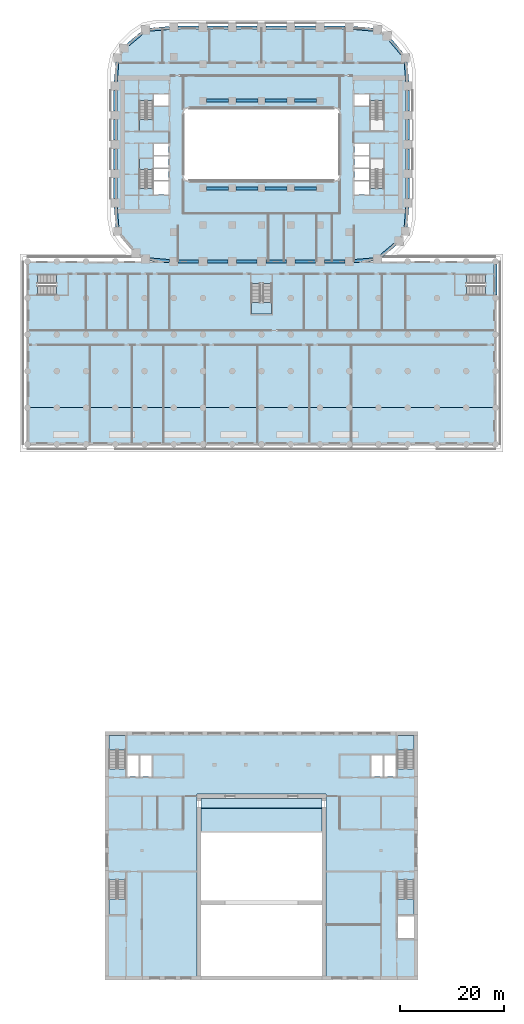
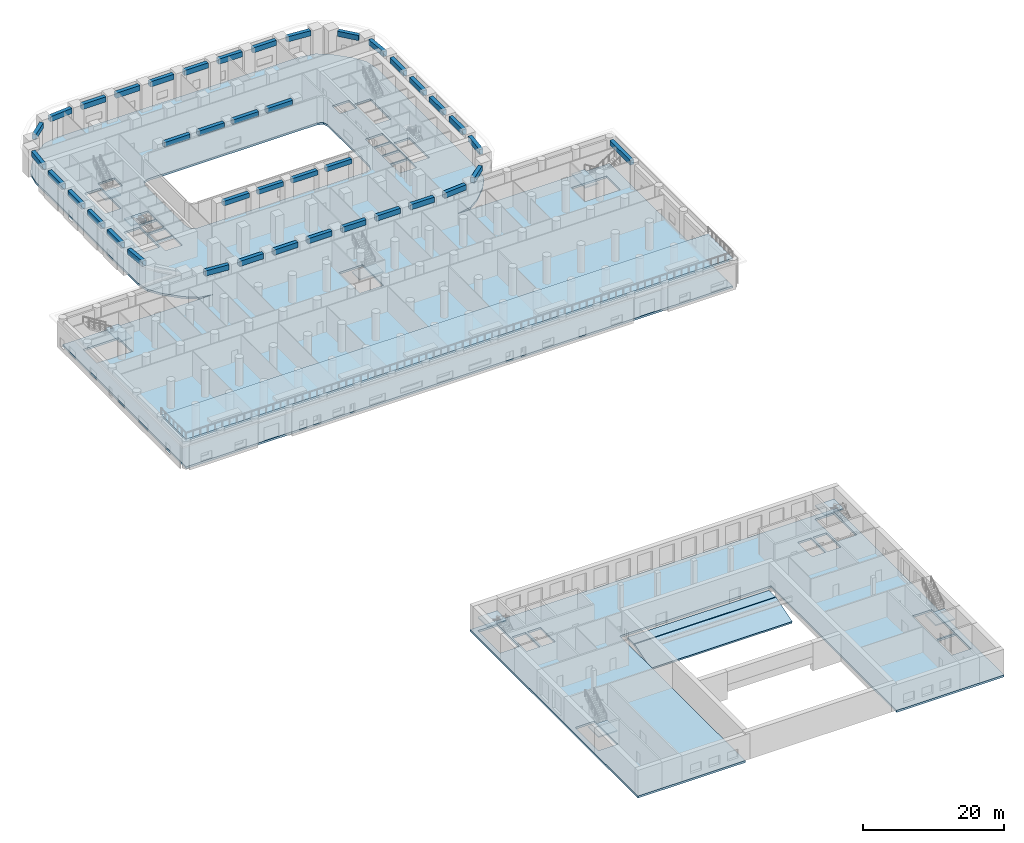
# One storey, part 2 of 27: 40 beams, 14 slabs, 9 elements without a shape of their own.
"""IFC4 building model written with IfcOpenShell, lengths in metres."""

from ifc_helpers import new_model, si_unit, direction, frame, origin, origin_2d, place, context, subcontext, project, spatial, polyline, rectangle, outline, extrude, material, layer, layer_set, material_profile, profile_set, type_object, element, aggregate, save


model = new_model("IFC4")

# Units and contexts
model_context = context("Model", 3, precision=1e-05, world=origin(), true_north=direction((0.0, 1.0)))
body_context = subcontext(model_context, "Body", "Model", "MODEL_VIEW")
ifc_project = project(units=[si_unit("LENGTHUNIT", "METRE"), si_unit("AREAUNIT", "SQUARE_METRE"), si_unit("VOLUMEUNIT", "CUBIC_METRE"), si_unit("PLANEANGLEUNIT", "RADIAN"), si_unit("MASSUNIT", "GRAM", prefix="KILO")], contexts=[model_context])

# Site, building, storey
site_placement = place(None, origin())
site = spatial("IfcSite", under=ifc_project, at=site_placement, CompositionType="ELEMENT")
building_placement = place(site_placement, origin())
building = spatial("IfcBuilding", under=site, at=building_placement, Name="Kiln Ring Residences", CompositionType="ELEMENT")
storey_placement = place(building_placement, frame((0.0, 0.0, 6.5)))
storey = spatial("IfcBuildingStorey", under=building, at=storey_placement, Name="L01", CompositionType="ELEMENT", Elevation=6.5)

# Beams
ifc_material_1 = material(Name="Concrete C50/60", Category="concrete")
ifc_material_profile_1 = material_profile(ifc_material_1, rectangle(XDim=0.60009765625, YDim=0.800048828125, at=origin_2d()), Name="RC600x800")
ifc_profile_set_1 = profile_set([ifc_material_profile_1], Name="Concrete C50/60")
beam_type_1 = type_object("IfcBeamType", Name="Ring beam RC600x800 C50/60", PredefinedType="BEAM", material=ifc_profile_set_1)
beam_1_placement = place(storey_placement, frame((44.800048828125, -23.0, 4.050048828125), z_axis=(0.0, -1.0, 0.0), x_axis=(1.0, 0.0, 0.0)))
element("IfcBeam", 1, at=beam_1_placement, inside=storey, type_object=beam_type_1, Name="Ring beam L01 22", PredefinedType="BEAM", context=body_context, shape_type="SweptSolid", body=[
    extrude(rectangle(XDim=0.60009765625, YDim=0.800048828125, at=origin_2d()), origin(), (0.0, 0.0, 1.0), 5.800048828125),
])
for number, where, z_axis, x_axis, name in (
    (2, (-10.5, -8.39990234375, 4.050048828125), (1.0, 0.0, 0.0), (0.0, 1.0, 0.0), "Ring beam L01 27"),
    (3, (-4.89990234375, -8.39990234375, 4.050048828125), (1.0, 0.0, 0.0), (0.0, 1.0, 0.0), "Ring beam L01 28"),
    (4, (0.699951171875, -8.39990234375, 4.050048828125), (1.0, 0.0, 0.0), (0.0, 1.0, 0.0), "Ring beam L01 29"),
    (5, (6.300048828125, -8.39990234375, 4.050048828125), (1.0, 0.0, 0.0), (0.0, 1.0, 0.0), "Ring beam L01 30"),
    (6, (-10.5, 8.39990234375, 4.050048828125), (1.0, 0.0, 0.0), (0.0, 1.0, 0.0), "Ring beam L01 31"),
    (7, (-4.89990234375, 8.39990234375, 4.050048828125), (1.0, 0.0, 0.0), (0.0, 1.0, 0.0), "Ring beam L01 32"),
    (8, (0.699951171875, 8.39990234375, 4.050048828125), (1.0, 0.0, 0.0), (0.0, 1.0, 0.0), "Ring beam L01 33"),
    (9, (6.300048828125, 8.39990234375, 4.050048828125), (1.0, 0.0, 0.0), (0.0, 1.0, 0.0), "Ring beam L01 34"),
):
    element("IfcBeam", number, at=place(storey_placement, frame(where, z_axis=z_axis, x_axis=x_axis)), inside=storey, type_object=beam_type_1, Name=name, PredefinedType="BEAM", context=body_context, shape_type="SweptSolid", body=[
        extrude(rectangle(XDim=0.60009765625, YDim=0.800048828125, at=origin_2d()), origin(), (0.0, 0.0, 1.0), 4.199951171875),
    ])
ifc_material_2 = material(Name="Concrete C50/60", Category="concrete")
ifc_material_profile_2 = material_profile(ifc_material_2, rectangle(XDim=0.60009765625, YDim=0.89990234375, at=origin_2d()), Name="RC600x900")
ifc_profile_set_2 = profile_set([ifc_material_profile_2], Name="Concrete C50/60")
beam_type_2 = type_object("IfcBeamType", Name="Spandrel beam RC600x900 C50/60", PredefinedType="SPANDREL", material=ifc_profile_set_2)
beam_2_placement = place(storey_placement, frame((-21.358642578125, -22.0107421875, 4.0), z_axis=(0.996374977292, -0.08506999839, 0.0), x_axis=(0.08506999839, 0.996374977292, 0.0)))
element("IfcBeam", 10, at=beam_2_placement, inside=storey, type_object=beam_type_2, Name="Spandrel beam L01 1", PredefinedType="SPANDREL", context=body_context, shape_type="SweptSolid", body=[
    extrude(rectangle(XDim=0.60009765625, YDim=0.89990234375, at=origin_2d()), origin(), (0.0, 0.0, 1.0), 3.72216796875),
])
beam_3_placement = place(storey_placement, frame((-15.949951171875, -22.39990234375, 4.0), z_axis=(1.0, 0.0, 0.0), x_axis=(0.0, 1.0, 0.0)))
element("IfcBeam", 11, at=beam_3_placement, inside=storey, type_object=beam_type_2, Name="Spandrel beam L01 2", PredefinedType="SPANDREL", context=body_context, shape_type="SweptSolid", body=[
    extrude(rectangle(XDim=0.60009765625, YDim=0.89990234375, at=origin_2d()), origin(), (0.0, 0.0, 1.0), 3.89990234375),
])
beam_4_placement = place(storey_placement, frame((-10.35009765625, -22.39990234375, 4.0), z_axis=(1.0, 0.0, 0.0), x_axis=(0.0, 1.0, 0.0)))
element("IfcBeam", 12, at=beam_4_placement, inside=storey, type_object=beam_type_2, Name="Spandrel beam L01 3", PredefinedType="SPANDREL", context=body_context, shape_type="SweptSolid", body=[
    extrude(rectangle(XDim=0.60009765625, YDim=0.89990234375, at=origin_2d()), origin(), (0.0, 0.0, 1.0), 3.900146484375),
])
for number, where, z_axis, x_axis, name in (
    (13, (-4.75, -22.39990234375, 4.0), (1.0, 0.0, 0.0), (0.0, 1.0, 0.0), "Spandrel beam L01 4"),
    (14, (0.85009765625, -22.39990234375, 4.0), (1.0, 0.0, 0.0), (0.0, 1.0, 0.0), "Spandrel beam L01 5"),
):
    element("IfcBeam", number, at=place(storey_placement, frame(where, z_axis=z_axis, x_axis=x_axis)), inside=storey, type_object=beam_type_2, Name=name, PredefinedType="SPANDREL", context=body_context, shape_type="SweptSolid", body=[
        extrude(rectangle(XDim=0.60009765625, YDim=0.89990234375, at=origin_2d()), origin(), (0.0, 0.0, 1.0), 3.89990234375),
    ])
beam_5_placement = place(storey_placement, frame((6.449951171875, -22.39990234375, 4.0), z_axis=(1.0, 0.0, 0.0), x_axis=(0.0, 1.0, 0.0)))
element("IfcBeam", 15, at=beam_5_placement, inside=storey, type_object=beam_type_2, Name="Spandrel beam L01 6", PredefinedType="SPANDREL", context=body_context, shape_type="SweptSolid", body=[
    extrude(rectangle(XDim=0.60009765625, YDim=0.89990234375, at=origin_2d()), origin(), (0.0, 0.0, 1.0), 3.900146484375),
])
beam_6_placement = place(storey_placement, frame((12.050048828125, -22.39990234375, 4.0), z_axis=(1.0, 0.0, 0.0), x_axis=(0.0, 1.0, 0.0)))
element("IfcBeam", 16, at=beam_6_placement, inside=storey, type_object=beam_type_2, Name="Spandrel beam L01 7", PredefinedType="SPANDREL", context=body_context, shape_type="SweptSolid", body=[
    extrude(rectangle(XDim=0.60009765625, YDim=0.89990234375, at=origin_2d()), origin(), (0.0, 0.0, 1.0), 3.89990234375),
])
beam_7_placement = place(storey_placement, frame((17.64990234375, -22.327392578125, 4.0), z_axis=(0.996374977292, 0.08506999839, 0.0), x_axis=(-0.08506999839, 0.996374977292, 0.0)))
element("IfcBeam", 17, at=beam_7_placement, inside=storey, type_object=beam_type_2, Name="Spandrel beam L01 8", PredefinedType="SPANDREL", context=body_context, shape_type="SweptSolid", body=[
    extrude(rectangle(XDim=0.60009765625, YDim=0.89990234375, at=origin_2d()), origin(), (0.0, 0.0, 1.0), 3.72216796875),
])
beam_8_placement = place(storey_placement, frame((23.05859375, -21.221923828125, 4.0), z_axis=(0.764713647219, 0.644370264489, 0.0), x_axis=(-0.644370264489, 0.764713647219, 0.0)))
element("IfcBeam", 18, at=beam_8_placement, inside=storey, type_object=beam_type_2, Name="Spandrel beam L01 9", PredefinedType="SPANDREL", context=body_context, shape_type="SweptSolid", body=[
    extrude(rectangle(XDim=0.60009765625, YDim=0.89990234375, at=origin_2d()), origin(), (0.0, 0.0, 1.0), 3.205322265625),
])
beam_9_placement = place(storey_placement, frame((27.610595703125, -15.7587890625, 4.0), z_axis=(0.085135112999, 0.996369415696, 0.0), x_axis=(-0.996369415696, 0.085135112999, 0.0)))
element("IfcBeam", 19, at=beam_9_placement, inside=storey, type_object=beam_type_2, Name="Spandrel beam L01 10", PredefinedType="SPANDREL", context=body_context, shape_type="SweptSolid", body=[
    extrude(rectangle(XDim=0.60009765625, YDim=0.89990234375, at=origin_2d()), origin(), (0.0, 0.0, 1.0), 3.72216796875),
])
beam_10_placement = place(storey_placement, frame((28.0, -10.35009765625, 4.0), z_axis=(0.0, 1.0, 0.0), x_axis=(-1.0, 0.0, 0.0)))
element("IfcBeam", 20, at=beam_10_placement, inside=storey, type_object=beam_type_2, Name="Spandrel beam L01 11", PredefinedType="SPANDREL", context=body_context, shape_type="SweptSolid", body=[
    extrude(rectangle(XDim=0.60009765625, YDim=0.89990234375, at=origin_2d()), origin(), (0.0, 0.0, 1.0), 3.900146484375),
])
for number, where, z_axis, x_axis, name in (
    (21, (28.0, -4.75, 4.0), (0.0, 1.0, 0.0), (-1.0, 0.0, 0.0), "Spandrel beam L01 12"),
    (22, (28.0, 0.85009765625, 4.0), (0.0, 1.0, 0.0), (-1.0, 0.0, 0.0), "Spandrel beam L01 13"),
):
    element("IfcBeam", number, at=place(storey_placement, frame(where, z_axis=z_axis, x_axis=x_axis)), inside=storey, type_object=beam_type_2, Name=name, PredefinedType="SPANDREL", context=body_context, shape_type="SweptSolid", body=[
        extrude(rectangle(XDim=0.60009765625, YDim=0.89990234375, at=origin_2d()), origin(), (0.0, 0.0, 1.0), 3.89990234375),
    ])
beam_11_placement = place(storey_placement, frame((28.0, 6.449951171875, 4.0), z_axis=(0.0, 1.0, 0.0), x_axis=(-1.0, 0.0, 0.0)))
element("IfcBeam", 23, at=beam_11_placement, inside=storey, type_object=beam_type_2, Name="Spandrel beam L01 14", PredefinedType="SPANDREL", context=body_context, shape_type="SweptSolid", body=[
    extrude(rectangle(XDim=0.60009765625, YDim=0.89990234375, at=origin_2d()), origin(), (0.0, 0.0, 1.0), 3.900146484375),
])
beam_12_placement = place(storey_placement, frame((27.927490234375, 12.050048828125, 4.0), z_axis=(-0.085135112999, 0.996369415696, 0.0), x_axis=(-0.996369415696, -0.085135112999, 0.0)))
element("IfcBeam", 24, at=beam_12_placement, inside=storey, type_object=beam_type_2, Name="Spandrel beam L01 15", PredefinedType="SPANDREL", context=body_context, shape_type="SweptSolid", body=[
    extrude(rectangle(XDim=0.60009765625, YDim=0.89990234375, at=origin_2d()), origin(), (0.0, 0.0, 1.0), 3.72216796875),
])
beam_13_placement = place(storey_placement, frame((26.82177734375, 17.458740234375, 4.0), z_axis=(-0.644370264489, 0.764713647219, 0.0), x_axis=(-0.764713647219, -0.644370264489, 0.0)))
element("IfcBeam", 25, at=beam_13_placement, inside=storey, type_object=beam_type_2, Name="Spandrel beam L01 16", PredefinedType="SPANDREL", context=body_context, shape_type="SweptSolid", body=[
    extrude(rectangle(XDim=0.60009765625, YDim=0.89990234375, at=origin_2d()), origin(), (0.0, 0.0, 1.0), 3.205322265625),
])
beam_14_placement = place(storey_placement, frame((21.358642578125, 22.0107421875, 4.0), z_axis=(-0.996374977292, 0.08506999839, 0.0), x_axis=(-0.08506999839, -0.996374977292, 0.0)))
element("IfcBeam", 26, at=beam_14_placement, inside=storey, type_object=beam_type_2, Name="Spandrel beam L01 17", PredefinedType="SPANDREL", context=body_context, shape_type="SweptSolid", body=[
    extrude(rectangle(XDim=0.60009765625, YDim=0.89990234375, at=origin_2d()), origin(), (0.0, 0.0, 1.0), 3.72216796875),
])
beam_15_placement = place(storey_placement, frame((15.949951171875, 22.39990234375, 4.0), z_axis=(-1.0, 0.0, 0.0), x_axis=(0.0, -1.0, 0.0)))
element("IfcBeam", 27, at=beam_15_placement, inside=storey, type_object=beam_type_2, Name="Spandrel beam L01 18", PredefinedType="SPANDREL", context=body_context, shape_type="SweptSolid", body=[
    extrude(rectangle(XDim=0.60009765625, YDim=0.89990234375, at=origin_2d()), origin(), (0.0, 0.0, 1.0), 3.89990234375),
])
beam_16_placement = place(storey_placement, frame((10.35009765625, 22.39990234375, 4.0), z_axis=(-1.0, 0.0, 0.0), x_axis=(0.0, -1.0, 0.0)))
element("IfcBeam", 28, at=beam_16_placement, inside=storey, type_object=beam_type_2, Name="Spandrel beam L01 19", PredefinedType="SPANDREL", context=body_context, shape_type="SweptSolid", body=[
    extrude(rectangle(XDim=0.60009765625, YDim=0.89990234375, at=origin_2d()), origin(), (0.0, 0.0, 1.0), 3.900146484375),
])
for number, where, z_axis, x_axis, name in (
    (29, (4.75, 22.39990234375, 4.0), (-1.0, 0.0, 0.0), (0.0, -1.0, 0.0), "Spandrel beam L01 20"),
    (30, (-0.85009765625, 22.39990234375, 4.0), (-1.0, 0.0, 0.0), (0.0, -1.0, 0.0), "Spandrel beam L01 21"),
):
    element("IfcBeam", number, at=place(storey_placement, frame(where, z_axis=z_axis, x_axis=x_axis)), inside=storey, type_object=beam_type_2, Name=name, PredefinedType="SPANDREL", context=body_context, shape_type="SweptSolid", body=[
        extrude(rectangle(XDim=0.60009765625, YDim=0.89990234375, at=origin_2d()), origin(), (0.0, 0.0, 1.0), 3.89990234375),
    ])
beam_17_placement = place(storey_placement, frame((-6.449951171875, 22.39990234375, 4.0), z_axis=(-1.0, 0.0, 0.0), x_axis=(0.0, -1.0, 0.0)))
element("IfcBeam", 31, at=beam_17_placement, inside=storey, type_object=beam_type_2, Name="Spandrel beam L01 22", PredefinedType="SPANDREL", context=body_context, shape_type="SweptSolid", body=[
    extrude(rectangle(XDim=0.60009765625, YDim=0.89990234375, at=origin_2d()), origin(), (0.0, 0.0, 1.0), 3.900146484375),
])
beam_18_placement = place(storey_placement, frame((-12.050048828125, 22.39990234375, 4.0), z_axis=(-1.0, 0.0, 0.0), x_axis=(0.0, -1.0, 0.0)))
element("IfcBeam", 32, at=beam_18_placement, inside=storey, type_object=beam_type_2, Name="Spandrel beam L01 23", PredefinedType="SPANDREL", context=body_context, shape_type="SweptSolid", body=[
    extrude(rectangle(XDim=0.60009765625, YDim=0.89990234375, at=origin_2d()), origin(), (0.0, 0.0, 1.0), 3.89990234375),
])
beam_19_placement = place(storey_placement, frame((-17.64990234375, 22.327392578125, 4.0), z_axis=(-0.996374977292, -0.08506999839, 0.0), x_axis=(0.08506999839, -0.996374977292, 0.0)))
element("IfcBeam", 33, at=beam_19_placement, inside=storey, type_object=beam_type_2, Name="Spandrel beam L01 24", PredefinedType="SPANDREL", context=body_context, shape_type="SweptSolid", body=[
    extrude(rectangle(XDim=0.60009765625, YDim=0.89990234375, at=origin_2d()), origin(), (0.0, 0.0, 1.0), 3.72216796875),
])
beam_20_placement = place(storey_placement, frame((-23.05859375, 21.221923828125, 4.0), z_axis=(-0.764713647219, -0.644370264489, 0.0), x_axis=(0.644370264489, -0.764713647219, 0.0)))
element("IfcBeam", 34, at=beam_20_placement, inside=storey, type_object=beam_type_2, Name="Spandrel beam L01 25", PredefinedType="SPANDREL", context=body_context, shape_type="SweptSolid", body=[
    extrude(rectangle(XDim=0.60009765625, YDim=0.89990234375, at=origin_2d()), origin(), (0.0, 0.0, 1.0), 3.205322265625),
])
beam_21_placement = place(storey_placement, frame((-27.610595703125, 15.7587890625, 4.0), z_axis=(-0.085135112999, -0.996369415696, 0.0), x_axis=(0.996369415696, -0.085135112999, 0.0)))
element("IfcBeam", 35, at=beam_21_placement, inside=storey, type_object=beam_type_2, Name="Spandrel beam L01 26", PredefinedType="SPANDREL", context=body_context, shape_type="SweptSolid", body=[
    extrude(rectangle(XDim=0.60009765625, YDim=0.89990234375, at=origin_2d()), origin(), (0.0, 0.0, 1.0), 3.72216796875),
])
beam_22_placement = place(storey_placement, frame((-28.0, 10.35009765625, 4.0), z_axis=(0.0, -1.0, 0.0), x_axis=(1.0, 0.0, 0.0)))
element("IfcBeam", 36, at=beam_22_placement, inside=storey, type_object=beam_type_2, Name="Spandrel beam L01 27", PredefinedType="SPANDREL", context=body_context, shape_type="SweptSolid", body=[
    extrude(rectangle(XDim=0.60009765625, YDim=0.89990234375, at=origin_2d()), origin(), (0.0, 0.0, 1.0), 3.900146484375),
])
for number, where, z_axis, x_axis, name in (
    (37, (-28.0, 4.75, 4.0), (0.0, -1.0, 0.0), (1.0, 0.0, 0.0), "Spandrel beam L01 28"),
    (38, (-28.0, -0.85009765625, 4.0), (0.0, -1.0, 0.0), (1.0, 0.0, 0.0), "Spandrel beam L01 29"),
):
    element("IfcBeam", number, at=place(storey_placement, frame(where, z_axis=z_axis, x_axis=x_axis)), inside=storey, type_object=beam_type_2, Name=name, PredefinedType="SPANDREL", context=body_context, shape_type="SweptSolid", body=[
        extrude(rectangle(XDim=0.60009765625, YDim=0.89990234375, at=origin_2d()), origin(), (0.0, 0.0, 1.0), 3.89990234375),
    ])
beam_23_placement = place(storey_placement, frame((-28.0, -6.449951171875, 4.0), z_axis=(0.0, -1.0, 0.0), x_axis=(1.0, 0.0, 0.0)))
element("IfcBeam", 39, at=beam_23_placement, inside=storey, type_object=beam_type_2, Name="Spandrel beam L01 30", PredefinedType="SPANDREL", context=body_context, shape_type="SweptSolid", body=[
    extrude(rectangle(XDim=0.60009765625, YDim=0.89990234375, at=origin_2d()), origin(), (0.0, 0.0, 1.0), 3.900146484375),
])
beam_24_placement = place(storey_placement, frame((-27.927490234375, -12.050048828125, 4.0), z_axis=(0.085135112999, -0.996369415696, 0.0), x_axis=(0.996369415696, 0.085135112999, 0.0)))
element("IfcBeam", 40, at=beam_24_placement, inside=storey, type_object=beam_type_2, Name="Spandrel beam L01 31", PredefinedType="SPANDREL", context=body_context, shape_type="SweptSolid", body=[
    extrude(rectangle(XDim=0.60009765625, YDim=0.89990234375, at=origin_2d()), origin(), (0.0, 0.0, 1.0), 3.72216796875),
])

# Stair, slab
ifc_material_3 = material(Name="Concrete C40/50", Category="concrete")
stair_type_1 = type_object("IfcStairType", Name="CORE-STAIR", PredefinedType="HALF_TURN_STAIR", material=ifc_material_3)
placement_1 = place(storey_placement, origin())
stair_1 = element("IfcStair", 41, at=placement_1, inside=storey, type_object=stair_type_1, Name="L01 stair W-STN", PredefinedType="HALF_TURN_STAIR")
ifc_material_4 = material(Name="Concrete C40/50", Category="concrete")
ifc_layer_1 = layer(ifc_material_4, 0.199951171875)
ifc_layer_set_1 = layer_set([ifc_layer_1], Name="CORE-STAIR-LANDING")
slab_type_1 = type_object("IfcSlabType", Name="CORE-STAIR-LANDING", PredefinedType="LANDING", material=ifc_layer_set_1)
placement_2 = place(storey_placement, frame((0.0, 0.0, 2.199951171875)))
slab_1 = element("IfcSlab", 42, at=placement_2, type_object=slab_type_1, Name="W-STN landing 1", PredefinedType="LANDING", context=body_context, shape_type="SweptSolid", body=[
    extrude(outline(polyline([(-23.39990234375, 4.760009765625), (-23.39990234375, 2.60009765625), (-20.800048828125, 2.60009765625), (-20.800048828125, 4.760009765625), (-23.39990234375, 4.760009765625)])), origin(), (0.0, 0.0, 1.0), 0.199951171875),
])
aggregate(stair_1, [slab_1])

stair_2 = element("IfcStair", 43, at=placement_1, inside=storey, type_object=stair_type_1, Name="L01 stair W-STS", PredefinedType="HALF_TURN_STAIR")
slab_2 = element("IfcSlab", 44, at=placement_2, type_object=slab_type_1, Name="W-STS landing 1", PredefinedType="LANDING", context=body_context, shape_type="SweptSolid", body=[
    extrude(outline(polyline([(-20.800048828125, -4.760009765625), (-20.800048828125, -2.699951171875), (-23.39990234375, -2.699951171875), (-23.39990234375, -4.760009765625), (-20.800048828125, -4.760009765625)])), origin(), (0.0, 0.0, 1.0), 0.199951171875),
])
aggregate(stair_2, [slab_2])

# Slabs
ifc_material_5 = material(Name="Concrete C40/50", Category="concrete")
ifc_layer_2 = layer(ifc_material_5, 0.35009765625)
ifc_layer_set_2 = layer_set([ifc_layer_2], Name="Floor slab 350")
slab_type_2 = type_object("IfcSlabType", Name="Floor slab 350", PredefinedType="FLOOR", material=ifc_layer_set_2)
placement_3 = place(storey_placement, frame((0.0, 0.0, -0.35009765625)))
element("IfcSlab", 45, at=placement_3, inside=storey, type_object=slab_type_2, Name="Floor slab L01 1", PredefinedType="FLOOR", context=body_context, shape_type="SweptSolid", body=[
    extrude(outline(polyline([(44.800048828125, -57.39990234375), (44.800048828125, -22.39990234375), (20.0, -22.39990234375), (22.224365234375, -21.975830078125), (24.09716796875, -20.702880859375), (26.302978515625, -18.4970703125), (27.57568359375, -16.624267578125), (28.0, -14.39990234375), (28.0, 14.39990234375), (27.57568359375, 16.624267578125), (26.302978515625, 18.4970703125), (24.09716796875, 20.702880859375), (22.224365234375, 21.975830078125), (20.0, 22.39990234375), (-20.0, 22.39990234375), (-22.224365234375, 21.975830078125), (-24.09716796875, 20.702880859375), (-26.302978515625, 18.4970703125), (-27.57568359375, 16.624267578125), (-28.0, 14.39990234375), (-28.0, -14.39990234375), (-27.57568359375, -16.624267578125), (-26.302978515625, -18.4970703125), (-24.09716796875, -20.702880859375), (-22.224365234375, -21.975830078125), (-20.0, -22.39990234375), (-44.800048828125, -22.39990234375), (-44.800048828125, -57.39990234375), (44.800048828125, -57.39990234375)]), holes=[polyline([(-14.699951171875, -6.699951171875), (-15.0, -5.800048828125), (-15.0, 5.800048828125), (-14.699951171875, 6.699951171875), (-13.800048828125, 7.0), (13.800048828125, 7.0), (14.699951171875, 6.699951171875), (15.0, 5.800048828125), (15.0, -5.800048828125), (14.699951171875, -6.699951171875), (13.800048828125, -7.0), (-13.800048828125, -7.0), (-14.699951171875, -6.699951171875)]), polyline([(42.89794921875, -24.89990234375), (42.89794921875, -28.800048828125), (37.10009765625, -28.800048828125), (37.10009765625, -24.89990234375), (42.89794921875, -24.89990234375)]), polyline([(20.800048828125, 8.39794921875), (23.39990234375, 8.39794921875), (23.39990234375, 2.60009765625), (20.800048828125, 2.60009765625), (20.800048828125, 8.39794921875)]), polyline([(20.800048828125, -8.39794921875), (20.800048828125, -2.699951171875), (23.39990234375, -2.699951171875), (23.39990234375, -8.39794921875), (20.800048828125, -8.39794921875)]), polyline([(17.800048828125, 9.60009765625), (20.60009765625, 9.60009765625), (20.60009765625, 7.39990234375), (17.800048828125, 7.39990234375), (17.800048828125, 9.60009765625)]), polyline([(17.800048828125, -2.050048828125), (17.800048828125, 0.14990234375), (20.60009765625, 0.14990234375), (20.60009765625, -2.050048828125), (17.800048828125, -2.050048828125)]), polyline([(17.800048828125, -4.449951171875), (17.800048828125, -2.25), (20.60009765625, -2.25), (20.60009765625, -4.449951171875), (17.800048828125, -4.449951171875)]), polyline([(17.800048828125, -6.85009765625), (17.800048828125, -4.64990234375), (20.60009765625, -4.64990234375), (20.60009765625, -6.85009765625), (17.800048828125, -6.85009765625)]), polyline([(17.800048828125, -9.60009765625), (17.800048828125, -7.050048828125), (20.60009765625, -7.050048828125), (20.60009765625, -9.60009765625), (17.800048828125, -9.60009765625)]), polyline([(-1.949951171875, -26.60205078125), (1.949951171875, -26.60205078125), (1.949951171875, -32.5), (-1.949951171875, -32.5), (-1.949951171875, -26.60205078125)]), polyline([(-17.800048828125, 7.39990234375), (-20.60009765625, 7.39990234375), (-20.60009765625, 9.60009765625), (-17.800048828125, 9.60009765625), (-17.800048828125, 7.39990234375)]), polyline([(-17.800048828125, -2.050048828125), (-20.60009765625, -2.050048828125), (-20.60009765625, 0.14990234375), (-17.800048828125, 0.14990234375), (-17.800048828125, -2.050048828125)]), polyline([(-17.800048828125, -4.449951171875), (-20.60009765625, -4.449951171875), (-20.60009765625, -2.25), (-17.800048828125, -2.25), (-17.800048828125, -4.449951171875)]), polyline([(-17.800048828125, -6.85009765625), (-20.60009765625, -6.85009765625), (-20.60009765625, -4.64990234375), (-17.800048828125, -4.64990234375), (-17.800048828125, -6.85009765625)]), polyline([(-17.800048828125, -9.60009765625), (-20.60009765625, -9.60009765625), (-20.60009765625, -7.050048828125), (-17.800048828125, -7.050048828125), (-17.800048828125, -9.60009765625)]), polyline([(-20.800048828125, 2.60009765625), (-23.39990234375, 2.60009765625), (-23.39990234375, 8.39794921875), (-20.800048828125, 8.39794921875), (-20.800048828125, 2.60009765625)]), polyline([(-20.800048828125, -8.39794921875), (-23.39990234375, -8.39794921875), (-23.39990234375, -2.699951171875), (-20.800048828125, -2.699951171875), (-20.800048828125, -8.39794921875)]), polyline([(-42.89794921875, -28.800048828125), (-42.89794921875, -24.89990234375), (-37.10009765625, -24.89990234375), (-37.10009765625, -28.800048828125), (-42.89794921875, -28.800048828125)])]), origin(), (0.0, 0.0, 1.0), 0.35009765625),
])
ifc_material_6 = material(Name="Concrete C40/50", Category="concrete")
ifc_layer_3 = layer(ifc_material_6, 0.35009765625)
ifc_layer_set_3 = layer_set([ifc_layer_3], Name="Hall reinforced concrete C40/50 floor slab 350")
slab_type_3 = type_object("IfcSlabType", Name="Hall reinforced concrete C40/50 floor slab 350", PredefinedType="FLOOR", material=ifc_layer_set_3)
element("IfcSlab", 46, at=placement_3, inside=storey, type_object=slab_type_3, Name="Hall floor slab L01", PredefinedType="FLOOR", context=body_context, shape_type="SweptSolid", body=[
    extrude(outline(polyline([(-30.0, -112.39990234375), (30.0, -112.39990234375), (30.0, -160.0), (12.39990234375, -160.0), (12.39990234375, -124.39990234375), (-12.39990234375, -124.39990234375), (-12.39990234375, -160.0), (-30.0, -160.0), (-30.0, -112.39990234375)]), holes=[polyline([(-25.75, -121.050048828125), (-23.550048828125, -121.050048828125), (-23.550048828125, -116.949951171875), (-25.75, -116.949951171875), (-25.75, -121.050048828125)]), polyline([(-23.25, -116.949951171875), (-23.25, -121.050048828125), (-21.050048828125, -121.050048828125), (-21.050048828125, -116.949951171875), (-23.25, -116.949951171875)]), polyline([(23.25, -116.949951171875), (21.050048828125, -116.949951171875), (21.050048828125, -121.050048828125), (23.25, -121.050048828125), (23.25, -116.949951171875)]), polyline([(25.75, -121.050048828125), (25.75, -116.949951171875), (23.550048828125, -116.949951171875), (23.550048828125, -121.050048828125), (25.75, -121.050048828125)]), polyline([(26.050048828125, -152.050048828125), (29.199951171875, -152.050048828125), (29.199951171875, -147.75), (26.050048828125, -147.75), (26.050048828125, -152.050048828125)]), polyline([(-26.050048828125, -119.548095703125), (-26.050048828125, -113.199951171875), (-29.199951171875, -113.199951171875), (-29.199951171875, -119.548095703125), (-26.050048828125, -119.548095703125)]), polyline([(26.050048828125, -119.548095703125), (29.199951171875, -119.548095703125), (29.199951171875, -113.199951171875), (26.050048828125, -113.199951171875), (26.050048828125, -119.548095703125)]), polyline([(-26.050048828125, -147.449951171875), (-26.050048828125, -140.85205078125), (-29.199951171875, -140.85205078125), (-29.199951171875, -147.449951171875), (-26.050048828125, -147.449951171875)]), polyline([(26.050048828125, -147.449951171875), (29.199951171875, -147.449951171875), (29.199951171875, -140.85205078125), (26.050048828125, -140.85205078125), (26.050048828125, -147.449951171875)])]), origin(), (0.0, 0.0, 1.0), 0.35009765625),
])

# Stair, slab
ifc_material_7 = material(Name="Concrete C40/50", Category="concrete")
stair_type_2 = type_object("IfcStairType", Name="Hall reinforced concrete stair", PredefinedType="HALF_TURN_STAIR", material=ifc_material_7)
stair_3 = element("IfcStair", 47, at=placement_1, inside=storey, type_object=stair_type_2, Name="L01 Hall stair ST1", PredefinedType="HALF_TURN_STAIR")
ifc_material_8 = material(Name="Concrete C40/50", Category="concrete")
ifc_layer_4 = layer(ifc_material_8, 0.199951171875)
ifc_layer_set_4 = layer_set([ifc_layer_4], Name="Hall reinforced concrete C40/50 stair landing 200")
slab_type_4 = type_object("IfcSlabType", Name="Hall reinforced concrete C40/50 stair landing 200", PredefinedType="LANDING", material=ifc_layer_set_4)
slab_5 = element("IfcSlab", 48, at=placement_2, type_object=slab_type_4, Name="HALL.ST1 landing 1", PredefinedType="LANDING", context=body_context, shape_type="SweptSolid", body=[
    extrude(outline(polyline([(-26.050048828125, -115.909912109375), (-26.050048828125, -113.199951171875), (-29.199951171875, -113.199951171875), (-29.199951171875, -115.909912109375), (-26.050048828125, -115.909912109375)])), origin(), (0.0, 0.0, 1.0), 0.199951171875),
])
aggregate(stair_3, [slab_5])

stair_4 = element("IfcStair", 49, at=placement_1, inside=storey, type_object=stair_type_2, Name="L01 Hall stair ST2", PredefinedType="HALF_TURN_STAIR")
slab_6 = element("IfcSlab", 50, at=placement_2, type_object=slab_type_4, Name="HALL.ST2 landing 1", PredefinedType="LANDING", context=body_context, shape_type="SweptSolid", body=[
    extrude(outline(polyline([(29.199951171875, -115.909912109375), (29.199951171875, -113.199951171875), (26.050048828125, -113.199951171875), (26.050048828125, -115.909912109375), (29.199951171875, -115.909912109375)])), origin(), (0.0, 0.0, 1.0), 0.199951171875),
])
aggregate(stair_4, [slab_6])

stair_5 = element("IfcStair", 51, at=placement_1, inside=storey, type_object=stair_type_2, Name="L01 Hall stair ST3", PredefinedType="HALF_TURN_STAIR")
slab_7 = element("IfcSlab", 52, at=placement_2, type_object=slab_type_4, Name="HALL.ST3 landing 1", PredefinedType="LANDING", context=body_context, shape_type="SweptSolid", body=[
    extrude(outline(polyline([(-29.199951171875, -144.489990234375), (-29.199951171875, -147.449951171875), (-26.050048828125, -147.449951171875), (-26.050048828125, -144.489990234375), (-29.199951171875, -144.489990234375)])), origin(), (0.0, 0.0, 1.0), 0.199951171875),
])
aggregate(stair_5, [slab_7])

stair_6 = element("IfcStair", 53, at=placement_1, inside=storey, type_object=stair_type_2, Name="L01 Hall stair ST4", PredefinedType="HALF_TURN_STAIR")
slab_8 = element("IfcSlab", 54, at=placement_2, type_object=slab_type_4, Name="HALL.ST4 landing 1", PredefinedType="LANDING", context=body_context, shape_type="SweptSolid", body=[
    extrude(outline(polyline([(26.050048828125, -144.489990234375), (26.050048828125, -147.449951171875), (29.199951171875, -147.449951171875), (29.199951171875, -144.489990234375), (26.050048828125, -144.489990234375)])), origin(), (0.0, 0.0, 1.0), 0.199951171875),
])
aggregate(stair_6, [slab_8])

# Slabs
ifc_material_9 = material(Name="Concrete C40/50", Category="concrete")
ifc_layer_5 = layer(ifc_material_9, 0.39990234375)
ifc_layer_set_5 = layer_set([ifc_layer_5], Name="Hall seating tier slab 400")
slab_type_5 = type_object("IfcSlabType", Name="Hall seating tier slab 400", PredefinedType="FLOOR", material=ifc_layer_set_5)
slab_9_placement = place(storey_placement, frame((-11.60009765625, -131.800048828125, -1.39990234375), z_axis=(0.0, -0.291137370727, 0.956681259023), x_axis=(1.0, 0.0, 0.0)))
element("IfcSlab", 55, at=slab_9_placement, inside=storey, type_object=slab_type_5, Name="Hall circle tier L01", PredefinedType="FLOOR", context=body_context, shape_type="SweptSolid", body=[
    extrude(outline(polyline([(0.0, 0.0), (23.2001953125, 0.0), (23.2001953125, 4.808391105044752), (0.0, 4.808391105044752), (0.0, 0.0)])), origin(), (0.0, 0.0, -1.0), 0.39990234375),
])
slab_10_placement = place(storey_placement, frame((0.0, 0.0, -0.39990234375)))
element("IfcSlab", 56, at=slab_10_placement, inside=storey, type_object=slab_type_5, Name="Hall circle crossover L01", PredefinedType="FLOOR", context=body_context, shape_type="SweptSolid", body=[
    extrude(outline(polyline([(-11.60009765625, -127.0830078125), (11.60009765625, -127.0830078125), (11.60009765625, -125.199951171875), (-11.60009765625, -125.199951171875), (-11.60009765625, -127.0830078125)])), origin(), (0.0, 0.0, 1.0), 0.39990234375),
])

# Stair, slab
ifc_material_10 = material(Name="Concrete C40/50", Category="concrete")
stair_type_3 = type_object("IfcStairType", Name="PODIUM-STAIR", PredefinedType="HALF_TURN_STAIR", material=ifc_material_10)
stair_7 = element("IfcStair", 57, at=placement_1, inside=storey, type_object=stair_type_3, Name="L01 exit stair PS-W", PredefinedType="HALF_TURN_STAIR")
ifc_material_11 = material(Name="Concrete C40/50", Category="concrete")
ifc_layer_6 = layer(ifc_material_11, 0.199951171875)
ifc_layer_set_6 = layer_set([ifc_layer_6], Name="PODIUM-STAIR-LANDING")
slab_type_6 = type_object("IfcSlabType", Name="PODIUM-STAIR-LANDING", PredefinedType="LANDING", material=ifc_layer_set_6)
slab_11 = element("IfcSlab", 58, at=placement_2, type_object=slab_type_6, Name="PS-W landing 1", PredefinedType="LANDING", context=body_context, shape_type="SweptSolid", body=[
    extrude(outline(polyline([(-39.260009765625, -28.800048828125), (-37.10009765625, -28.800048828125), (-37.10009765625, -24.89990234375), (-39.260009765625, -24.89990234375), (-39.260009765625, -28.800048828125)])), origin(), (0.0, 0.0, 1.0), 0.199951171875),
])
aggregate(stair_7, [slab_11])

stair_8 = element("IfcStair", 59, at=placement_1, inside=storey, type_object=stair_type_3, Name="L01 exit stair PS-E", PredefinedType="HALF_TURN_STAIR")
slab_12 = element("IfcSlab", 60, at=placement_2, type_object=slab_type_6, Name="PS-E landing 1", PredefinedType="LANDING", context=body_context, shape_type="SweptSolid", body=[
    extrude(outline(polyline([(39.260009765625, -24.89990234375), (37.10009765625, -24.89990234375), (37.10009765625, -28.800048828125), (39.260009765625, -28.800048828125), (39.260009765625, -24.89990234375)])), origin(), (0.0, 0.0, 1.0), 0.199951171875),
])
aggregate(stair_8, [slab_12])

stair_9 = element("IfcStair", 61, at=placement_1, inside=storey, type_object=stair_type_3, Name="L01 exit stair PS-C", PredefinedType="HALF_TURN_STAIR")
slab_13 = element("IfcSlab", 62, at=placement_2, type_object=slab_type_6, Name="PS-C landing 1", PredefinedType="LANDING", context=body_context, shape_type="SweptSolid", body=[
    extrude(outline(polyline([(-1.949951171875, -30.239990234375), (-1.949951171875, -32.5), (1.949951171875, -32.5), (1.949951171875, -30.239990234375), (-1.949951171875, -30.239990234375)])), origin(), (0.0, 0.0, 1.0), 0.199951171875),
])
aggregate(stair_9, [slab_13])

# Slab
ifc_material_12 = material(Name="Concrete C40/50", Category="concrete")
ifc_layer_7 = layer(ifc_material_12, 0.35009765625)
ifc_layer_set_7 = layer_set([ifc_layer_7], Name="Roof slab 350")
slab_type_7 = type_object("IfcSlabType", Name="Roof slab 350", PredefinedType="ROOF", material=ifc_layer_set_7)
slab_14_placement = place(storey_placement, frame((0.0, 0.0, 4.449951171875)))
element("IfcSlab", 63, at=slab_14_placement, inside=storey, type_object=slab_type_7, Name="Roof slab L01 1", PredefinedType="ROOF", context=body_context, shape_type="SweptSolid", body=[
    extrude(outline(polyline([(44.800048828125, -50.400390625), (-44.800048828125, -50.400390625), (-44.800048828125, -57.39990234375), (44.800048828125, -57.39990234375), (44.800048828125, -50.400390625)])), origin(), (0.0, 0.0, 1.0), 0.35009765625),
])

save(model, "model.ifc")
